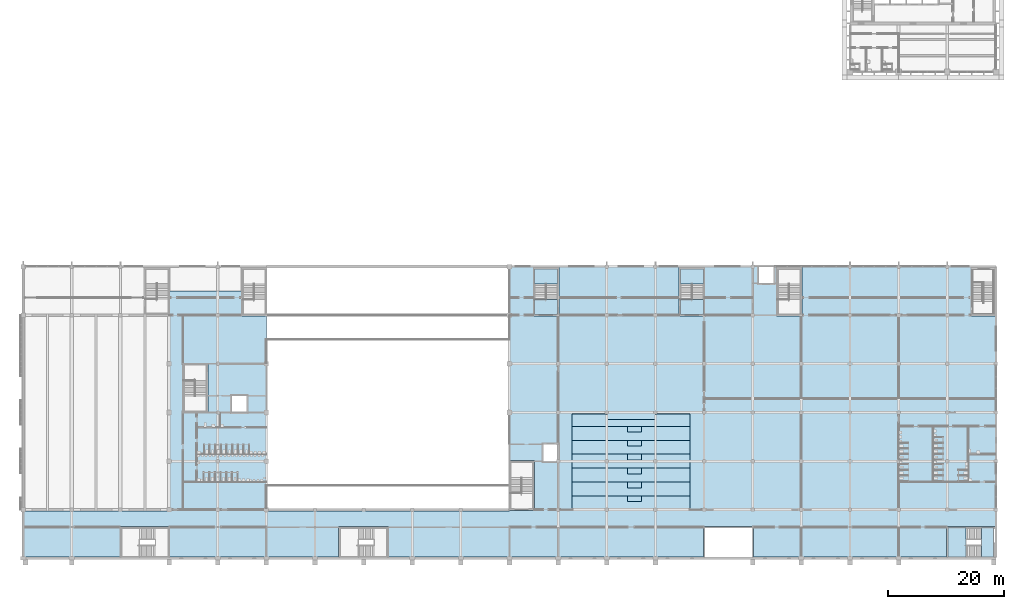
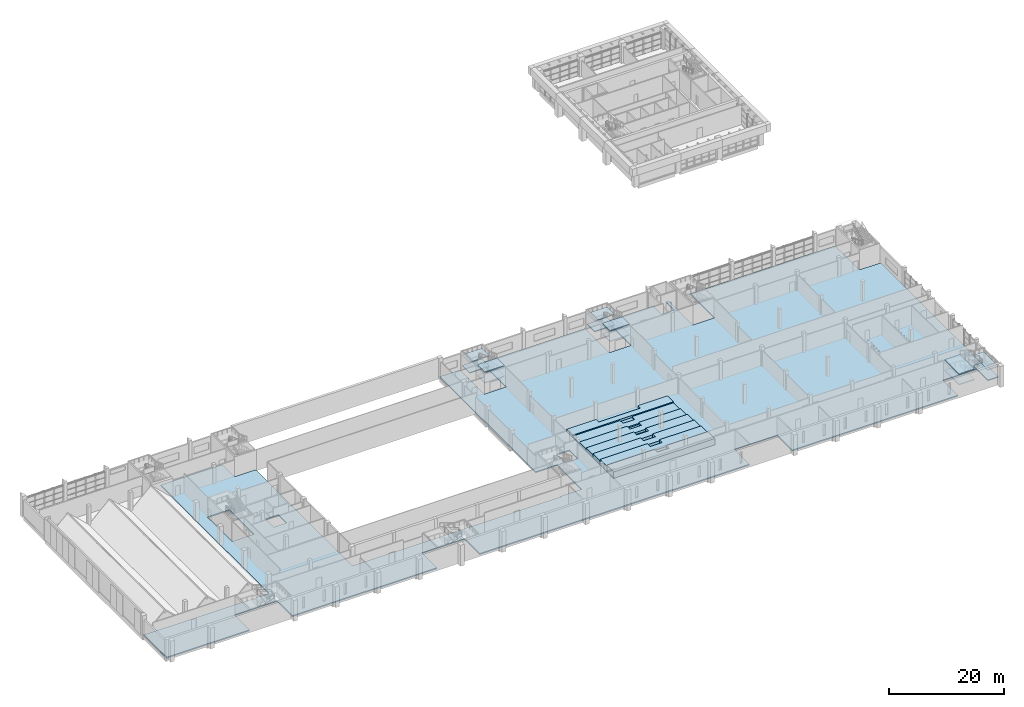
# One storey, part 12 of 56: 20 slabs, 3 elements without a shape of their own.
"""IFC4 building model written with IfcOpenShell, lengths in metres."""

from ifc_helpers import new_model, si_unit, direction, frame, origin, place, context, subcontext, project, spatial, polyline, outline, extrude, material, layer, layer_set, type_object, element, aggregate, save


model = new_model("IFC4")

# Units and contexts
model_context = context("Model", 3, precision=1e-05, world=origin(), true_north=direction((0.0, 1.0)))
body_context = subcontext(model_context, "Body", "Model", "MODEL_VIEW")
ifc_project = project(units=[si_unit("LENGTHUNIT", "METRE"), si_unit("AREAUNIT", "SQUARE_METRE"), si_unit("VOLUMEUNIT", "CUBIC_METRE"), si_unit("PLANEANGLEUNIT", "RADIAN"), si_unit("MASSUNIT", "GRAM", prefix="KILO")], contexts=[model_context])

# Site, building, storey
site_placement = place(None, origin())
site = spatial("IfcSite", under=ifc_project, at=site_placement, CompositionType="ELEMENT")
building_placement = place(site_placement, origin())
building = spatial("IfcBuilding", under=site, at=building_placement, Name="Rulbaag Community and Learning Centre", CompositionType="ELEMENT")
storey_placement = place(building_placement, frame((0.0, 0.0, 9.89990234375)))
storey = spatial("IfcBuildingStorey", under=building, at=storey_placement, Name="L02", CompositionType="ELEMENT", Elevation=9.89990234375)

# Stair, slabs
ifc_material = material(Name="Concrete M40", Category="concrete")
stair_type_1 = type_object("IfcStairType", Name="ST-2000 STAIR 2000 WIDE", PredefinedType="HALF_TURN_STAIR", material=ifc_material)
stair_1_placement = place(storey_placement, origin())
stair_1 = element("IfcStair", 1, at=stair_1_placement, inside=storey, type_object=stair_type_1, Name="Stair ST-H6 L02", PredefinedType="HALF_TURN_STAIR")
ifc_layer_1 = layer(ifc_material, 0.179931640625)
ifc_layer_set_1 = layer_set([ifc_layer_1], Name="LN-180 LANDING 180 Concrete M40")
slab_type_1 = type_object("IfcSlabType", Name="LN-180 LANDING 180 Concrete M40", PredefinedType="LANDING", material=ifc_layer_set_1)
slab_1_placement = place(storey_placement, frame((0.0, 0.0, 0.945068359375)))
slab_1 = element("IfcSlab", 2, at=slab_1_placement, type_object=slab_type_1, Name="ST-H6 landing 1", PredefinedType="LANDING", context=body_context, shape_type="SweptSolid", body=[
    extrude(outline(polyline([(88.300048828125, 47.41259765625), (88.300048828125, 50.02490234375), (92.300048828125, 50.02490234375), (92.300048828125, 47.41259765625), (88.300048828125, 47.41259765625)])), origin(), (0.0, 0.0, 1.0), 0.179931640625),
])
slab_2_placement = place(storey_placement, frame((0.0, 0.0, 2.070068359375)))
slab_2 = element("IfcSlab", 3, at=slab_2_placement, type_object=slab_type_1, Name="ST-H6 landing 2", PredefinedType="LANDING", context=body_context, shape_type="SweptSolid", body=[
    extrude(outline(polyline([(88.300048828125, 42.10009765625), (88.300048828125, 44.71240234375), (92.300048828125, 44.71240234375), (92.300048828125, 42.10009765625), (88.300048828125, 42.10009765625)])), origin(), (0.0, 0.0, 1.0), 0.179931640625),
])
slab_3_placement = place(storey_placement, frame((0.0, 0.0, 3.195068359375)))
slab_3 = element("IfcSlab", 4, at=slab_3_placement, type_object=slab_type_1, Name="ST-H6 landing 3", PredefinedType="LANDING", context=body_context, shape_type="SweptSolid", body=[
    extrude(outline(polyline([(88.300048828125, 47.41259765625), (88.300048828125, 50.02490234375), (92.300048828125, 50.02490234375), (92.300048828125, 47.41259765625), (88.300048828125, 47.41259765625)])), origin(), (0.0, 0.0, 1.0), 0.179931640625),
])
slab_4_placement = place(storey_placement, frame((0.0, 0.0, 4.320068359375)))
slab_4 = element("IfcSlab", 5, at=slab_4_placement, type_object=slab_type_1, Name="ST-H6 landing 4", PredefinedType="LANDING", context=body_context, shape_type="SweptSolid", body=[
    extrude(outline(polyline([(88.300048828125, 42.10009765625), (88.300048828125, 44.71240234375), (92.300048828125, 44.71240234375), (92.300048828125, 42.10009765625), (88.300048828125, 42.10009765625)])), origin(), (0.0, 0.0, 1.0), 0.179931640625),
])
aggregate(stair_1, [slab_1, slab_2, slab_3, slab_4])

stair_2_placement = place(storey_placement, origin())
stair_2 = element("IfcStair", 6, at=stair_2_placement, inside=storey, type_object=stair_type_1, Name="Stair ST-H7 L02", PredefinedType="HALF_TURN_STAIR")
slab_5_placement = place(storey_placement, frame((0.0, 0.0, 0.945068359375)))
slab_5 = element("IfcSlab", 7, at=slab_5_placement, type_object=slab_type_1, Name="ST-H7 landing 1", PredefinedType="LANDING", context=body_context, shape_type="SweptSolid", body=[
    extrude(outline(polyline([(113.5, 47.41259765625), (113.5, 50.02490234375), (117.5, 50.02490234375), (117.5, 47.41259765625), (113.5, 47.41259765625)])), origin(), (0.0, 0.0, 1.0), 0.179931640625),
])
slab_6_placement = place(storey_placement, frame((0.0, 0.0, 2.070068359375)))
slab_6 = element("IfcSlab", 8, at=slab_6_placement, type_object=slab_type_1, Name="ST-H7 landing 2", PredefinedType="LANDING", context=body_context, shape_type="SweptSolid", body=[
    extrude(outline(polyline([(113.5, 42.10009765625), (113.5, 44.71240234375), (117.5, 44.71240234375), (117.5, 42.10009765625), (113.5, 42.10009765625)])), origin(), (0.0, 0.0, 1.0), 0.179931640625),
])
slab_7_placement = place(storey_placement, frame((0.0, 0.0, 3.195068359375)))
slab_7 = element("IfcSlab", 9, at=slab_7_placement, type_object=slab_type_1, Name="ST-H7 landing 3", PredefinedType="LANDING", context=body_context, shape_type="SweptSolid", body=[
    extrude(outline(polyline([(113.5, 47.41259765625), (113.5, 50.02490234375), (117.5, 50.02490234375), (117.5, 47.41259765625), (113.5, 47.41259765625)])), origin(), (0.0, 0.0, 1.0), 0.179931640625),
])
slab_8_placement = place(storey_placement, frame((0.0, 0.0, 4.320068359375)))
slab_8 = element("IfcSlab", 10, at=slab_8_placement, type_object=slab_type_1, Name="ST-H7 landing 4", PredefinedType="LANDING", context=body_context, shape_type="SweptSolid", body=[
    extrude(outline(polyline([(113.5, 42.10009765625), (113.5, 44.71240234375), (117.5, 44.71240234375), (117.5, 42.10009765625), (113.5, 42.10009765625)])), origin(), (0.0, 0.0, 1.0), 0.179931640625),
])
aggregate(stair_2, [slab_5, slab_6, slab_7, slab_8])

stair_type_2 = type_object("IfcStairType", Name="ST-2100 STAIR 2100 WIDE", PredefinedType="HALF_TURN_STAIR", material=ifc_material)
stair_3_placement = place(storey_placement, origin())
stair_3 = element("IfcStair", 11, at=stair_3_placement, inside=storey, type_object=stair_type_2, Name="Stair ST-H10 L02", PredefinedType="HALF_TURN_STAIR")
slab_9_placement = place(storey_placement, frame((0.0, 0.0, 0.945068359375)))
slab_9 = element("IfcSlab", 12, at=slab_9_placement, type_object=slab_type_1, Name="ST-H10 landing 1", PredefinedType="LANDING", context=body_context, shape_type="SweptSolid", body=[
    extrude(outline(polyline([(165.52490234375, 0.22509765625), (167.625, 0.22509765625), (167.625, 5.300048828125), (165.52490234375, 5.300048828125), (165.52490234375, 0.22509765625)])), origin(), (0.0, 0.0, 1.0), 0.179931640625),
])
slab_10_placement = place(storey_placement, frame((0.0, 0.0, 2.070068359375)))
slab_10 = element("IfcSlab", 13, at=slab_10_placement, type_object=slab_type_1, Name="ST-H10 landing 2", PredefinedType="LANDING", context=body_context, shape_type="SweptSolid", body=[
    extrude(outline(polyline([(159.699951171875, 0.22509765625), (162.824951171875, 0.22509765625), (162.824951171875, 5.300048828125), (159.699951171875, 5.300048828125), (159.699951171875, 0.22509765625)])), origin(), (0.0, 0.0, 1.0), 0.179931640625),
])
slab_11_placement = place(storey_placement, frame((0.0, 0.0, 3.195068359375)))
slab_11 = element("IfcSlab", 14, at=slab_11_placement, type_object=slab_type_1, Name="ST-H10 landing 3", PredefinedType="LANDING", context=body_context, shape_type="SweptSolid", body=[
    extrude(outline(polyline([(165.52490234375, 0.22509765625), (167.625, 0.22509765625), (167.625, 5.300048828125), (165.52490234375, 5.300048828125), (165.52490234375, 0.22509765625)])), origin(), (0.0, 0.0, 1.0), 0.179931640625),
])
slab_12_placement = place(storey_placement, frame((0.0, 0.0, 4.320068359375)))
slab_12 = element("IfcSlab", 15, at=slab_12_placement, type_object=slab_type_1, Name="ST-H10 landing 4", PredefinedType="LANDING", context=body_context, shape_type="SweptSolid", body=[
    extrude(outline(polyline([(159.699951171875, 0.22509765625), (162.824951171875, 0.22509765625), (162.824951171875, 5.300048828125), (159.699951171875, 5.300048828125), (159.699951171875, 0.22509765625)])), origin(), (0.0, 0.0, 1.0), 0.179931640625),
])
aggregate(stair_3, [slab_9, slab_10, slab_11, slab_12])

# Slabs
ifc_layer_2 = layer(ifc_material, 0.25)
ifc_layer_set_2 = layer_set([ifc_layer_2], Name="S10 Floor slab 250 Concrete M40")
slab_type_2 = type_object("IfcSlabType", Name="S10 Floor slab 250 Concrete M40", PredefinedType="FLOOR", material=ifc_layer_set_2)
slab_13_placement = place(storey_placement, frame((0.0, 0.0, -0.25)))
element("IfcSlab", 16, at=slab_13_placement, inside=storey, type_object=slab_type_2, Name="SL-L02-A01", PredefinedType="FLOOR", context=body_context, shape_type="SweptSolid", body=[
    extrude(outline(polyline([(25.199951171875, 8.14990234375), (25.199951171875, 41.89990234375), (25.300048828125, 41.89990234375), (25.300048828125, 46.175048828125), (37.699951171875, 46.175048828125), (37.699951171875, 41.89990234375), (42.0, 41.89990234375), (42.0, 8.14990234375), (84.0, 8.14990234375), (84.0, 8.300048828125), (88.300048828125, 8.300048828125), (88.300048828125, 16.89990234375), (84.0, 16.89990234375), (84.0, 50.4599609375), (84.06005859375, 50.4599609375), (84.06005859375, 50.39990234375), (88.10009765625, 50.39990234375), (88.10009765625, 41.89990234375), (92.5, 41.89990234375), (92.5, 50.39990234375), (113.300048828125, 50.39990234375), (113.300048828125, 41.89990234375), (117.699951171875, 41.89990234375), (117.699951171875, 50.39990234375), (127.0, 50.39990234375), (127.0, 47.5), (129.60009765625, 47.5), (129.60009765625, 50.39990234375), (130.10009765625, 50.39990234375), (130.10009765625, 41.89990234375), (134.5, 41.89990234375), (134.5, 50.39990234375), (163.699951171875, 50.39990234375), (163.699951171875, 41.89990234375), (168.0, 41.89990234375), (168.0, 5.5), (159.5, 5.5), (159.5, 0.22509765625), (126.10009765625, 0.22509765625), (126.10009765625, 5.5), (117.5, 5.5), (117.5, 0.22509765625), (63.10009765625, 0.22509765625), (63.10009765625, 5.5), (54.5, 5.5), (54.5, 0.22509765625), (25.300048828125, 0.22509765625), (25.300048828125, 5.5), (16.699951171875, 5.5), (16.699951171875, 0.22509765625), (0.0, 0.22509765625), (0.0, -0.06005859375), (-0.017333984375, -0.057373046875), (-0.0380859375, -0.04638671875), (-0.0498046875, -0.033203125), (-0.057373046875, -0.017333984375), (-0.06005859375, 0.0), (-0.058837890625, 0.23681640625), (-0.052978515625, 0.25341796875), (-0.0380859375, 0.271484375), (-0.02294921875, 0.280517578125), (0.0, 0.284912109375), (0.0, 8.090087890625), (-0.02294921875, 8.094482421875), (-0.04248046875, 8.107666015625), (-0.055419921875, 8.126953125), (-0.06005859375, 8.14990234375), (-0.059814453125, 8.406005859375), (-0.055419921875, 8.423095703125), (-0.04638671875, 8.43798828125), (-0.033203125, 8.449951171875), (-0.017333984375, 8.45751953125), (0.0, 8.4599609375), (0.0, 8.14990234375), (25.199951171875, 8.14990234375)]), holes=[polyline([(89.800048828125, 16.800048828125), (92.39990234375, 16.800048828125), (92.39990234375, 19.699951171875), (89.800048828125, 19.699951171875), (89.800048828125, 16.800048828125)]), polyline([(36.0, 25.199951171875), (38.60009765625, 25.199951171875), (38.60009765625, 28.10009765625), (36.0, 28.10009765625), (36.0, 25.199951171875)]), polyline([(27.5, 33.699951171875), (27.5, 25.10009765625), (31.89990234375, 25.10009765625), (31.89990234375, 33.699951171875), (27.5, 33.699951171875)])]), origin(), (0.0, 0.0, 1.0), 0.25),
])
ifc_layer_3 = layer(ifc_material, 0.449951171875)
ifc_layer_set_3 = layer_set([ifc_layer_3], Name="S13 Raised platform 450 Concrete M40")
slab_type_3 = type_object("IfcSlabType", Name="S13 Raised platform 450 Concrete M40", PredefinedType="USERDEFINED", material=ifc_layer_set_3)
slab_14_placement = place(storey_placement, origin())
element("IfcSlab", 17, at=slab_14_placement, inside=storey, type_object=slab_type_3, Name="SL-PLAT-STAGE-LT", ObjectType="RAISED PLATFORM", PredefinedType="USERDEFINED", context=body_context, shape_type="SweptSolid", body=[
    extrude(outline(polyline([(94.800048828125, 22.800048828125), (115.199951171875, 22.800048828125), (115.199951171875, 24.89990234375), (109.199951171875, 24.89990234375), (109.199951171875, 24.0), (100.800048828125, 24.0), (100.800048828125, 24.89990234375), (94.800048828125, 24.89990234375), (94.800048828125, 22.800048828125)])), origin(), (0.0, 0.0, 1.0), 0.4501953125),
])
ifc_layer_4 = layer(ifc_material, 0.22509765625)
ifc_layer_set_4 = layer_set([ifc_layer_4], Name="S14 Raked floor tier 225 Concrete M40")
slab_type_4 = type_object("IfcSlabType", Name="S14 Raked floor tier 225 Concrete M40", PredefinedType="USERDEFINED", material=ifc_layer_set_4)
slab_15_placement = place(storey_placement, origin())
element("IfcSlab", 18, at=slab_15_placement, inside=storey, type_object=slab_type_4, Name="SL-TIER-1", ObjectType="RAISED PLATFORM", PredefinedType="USERDEFINED", context=body_context, shape_type="SweptSolid", body=[
    extrude(outline(polyline([(94.800048828125, 20.39990234375), (115.199951171875, 20.39990234375), (115.199951171875, 22.800048828125), (106.800048828125, 22.800048828125), (106.800048828125, 21.800048828125), (104.39990234375, 21.800048828125), (104.39990234375, 22.800048828125), (94.800048828125, 22.800048828125), (94.800048828125, 20.39990234375)])), origin(), (0.0, 0.0, 1.0), 0.22509765625),
])
ifc_layer_5 = layer(ifc_material, 0.449951171875)
ifc_layer_set_5 = layer_set([ifc_layer_5], Name="S17 Raked floor tier 450 Concrete M40")
slab_type_5 = type_object("IfcSlabType", Name="S17 Raked floor tier 450 Concrete M40", PredefinedType="USERDEFINED", material=ifc_layer_set_5)
slab_16_placement = place(storey_placement, origin())
element("IfcSlab", 19, at=slab_16_placement, inside=storey, type_object=slab_type_5, Name="SL-TIER-2", ObjectType="RAISED PLATFORM", PredefinedType="USERDEFINED", context=body_context, shape_type="SweptSolid", body=[
    extrude(outline(polyline([(94.800048828125, 18.0), (115.199951171875, 18.0), (115.199951171875, 20.39990234375), (106.800048828125, 20.39990234375), (106.800048828125, 19.39990234375), (104.39990234375, 19.39990234375), (104.39990234375, 20.39990234375), (94.800048828125, 20.39990234375), (94.800048828125, 18.0)])), origin(), (0.0, 0.0, 1.0), 0.4501953125),
])
ifc_layer_6 = layer(ifc_material, 0.675048828125)
ifc_layer_set_6 = layer_set([ifc_layer_6], Name="S18 Raked floor tier 675 Concrete M40")
slab_type_6 = type_object("IfcSlabType", Name="S18 Raked floor tier 675 Concrete M40", PredefinedType="USERDEFINED", material=ifc_layer_set_6)
slab_17_placement = place(storey_placement, origin())
element("IfcSlab", 20, at=slab_17_placement, inside=storey, type_object=slab_type_6, Name="SL-TIER-3", ObjectType="RAISED PLATFORM", PredefinedType="USERDEFINED", context=body_context, shape_type="SweptSolid", body=[
    extrude(outline(polyline([(94.800048828125, 15.60009765625), (115.199951171875, 15.60009765625), (115.199951171875, 18.0), (106.800048828125, 18.0), (106.800048828125, 17.0), (104.39990234375, 17.0), (104.39990234375, 18.0), (94.800048828125, 18.0), (94.800048828125, 15.60009765625)])), origin(), (0.0, 0.0, 1.0), 0.675048828125),
])
ifc_layer_7 = layer(ifc_material, 0.89990234375)
ifc_layer_set_7 = layer_set([ifc_layer_7], Name="S19 Raked floor tier 900 Concrete M40")
slab_type_7 = type_object("IfcSlabType", Name="S19 Raked floor tier 900 Concrete M40", PredefinedType="USERDEFINED", material=ifc_layer_set_7)
slab_18_placement = place(storey_placement, origin())
element("IfcSlab", 21, at=slab_18_placement, inside=storey, type_object=slab_type_7, Name="SL-TIER-4", ObjectType="RAISED PLATFORM", PredefinedType="USERDEFINED", context=body_context, shape_type="SweptSolid", body=[
    extrude(outline(polyline([(94.800048828125, 13.199951171875), (115.199951171875, 13.199951171875), (115.199951171875, 15.60009765625), (106.800048828125, 15.60009765625), (106.800048828125, 14.60009765625), (104.39990234375, 14.60009765625), (104.39990234375, 15.60009765625), (94.800048828125, 15.60009765625), (94.800048828125, 13.199951171875)])), origin(), (0.0, 0.0, 1.0), 0.900146484375),
])
ifc_layer_8 = layer(ifc_material, 1.125)
ifc_layer_set_8 = layer_set([ifc_layer_8], Name="S20 Raked floor tier 1125 Concrete M40")
slab_type_8 = type_object("IfcSlabType", Name="S20 Raked floor tier 1125 Concrete M40", PredefinedType="USERDEFINED", material=ifc_layer_set_8)
slab_19_placement = place(storey_placement, origin())
element("IfcSlab", 22, at=slab_19_placement, inside=storey, type_object=slab_type_8, Name="SL-TIER-5", ObjectType="RAISED PLATFORM", PredefinedType="USERDEFINED", context=body_context, shape_type="SweptSolid", body=[
    extrude(outline(polyline([(94.800048828125, 10.800048828125), (115.199951171875, 10.800048828125), (115.199951171875, 13.199951171875), (106.800048828125, 13.199951171875), (106.800048828125, 12.199951171875), (104.39990234375, 12.199951171875), (104.39990234375, 13.199951171875), (94.800048828125, 13.199951171875), (94.800048828125, 10.800048828125)])), origin(), (0.0, 0.0, 1.0), 1.125),
])
ifc_layer_9 = layer(ifc_material, 1.35009765625)
ifc_layer_set_9 = layer_set([ifc_layer_9], Name="S21 Raked floor tier 1350 Concrete M40")
slab_type_9 = type_object("IfcSlabType", Name="S21 Raked floor tier 1350 Concrete M40", PredefinedType="USERDEFINED", material=ifc_layer_set_9)
slab_20_placement = place(storey_placement, origin())
element("IfcSlab", 23, at=slab_20_placement, inside=storey, type_object=slab_type_9, Name="SL-TIER-6", ObjectType="RAISED PLATFORM", PredefinedType="USERDEFINED", context=body_context, shape_type="SweptSolid", body=[
    extrude(outline(polyline([(94.800048828125, 8.39990234375), (115.199951171875, 8.39990234375), (115.199951171875, 10.800048828125), (106.800048828125, 10.800048828125), (106.800048828125, 9.800048828125), (104.39990234375, 9.800048828125), (104.39990234375, 10.800048828125), (94.800048828125, 10.800048828125), (94.800048828125, 8.39990234375)])), origin(), (0.0, 0.0, 1.0), 1.35009765625),
])

save(model, "model.ifc")
